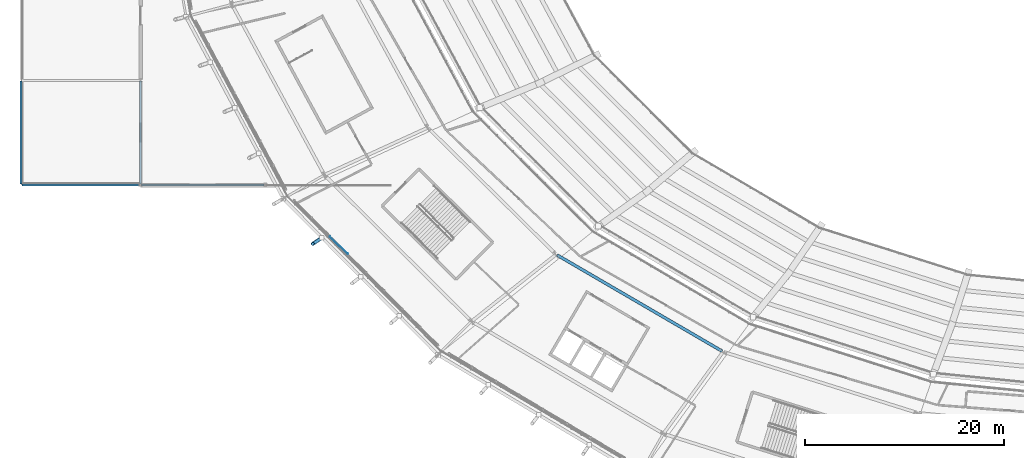
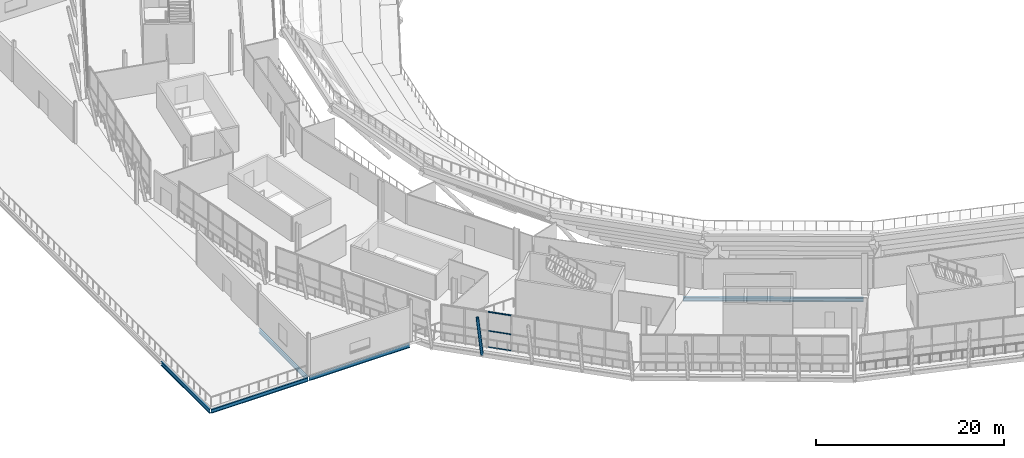
# One storey, part 15 of 126: 5 beams, 4 members, 1 element without a shape of its own.
"""IFC4 building model written with IfcOpenShell, lengths in metres."""

from ifc_helpers import new_model, si_unit, direction, frame, origin, origin_2d, place, context, subcontext, project, spatial, rectangle, hollow_circle, i_section, extrude, material, material_profile, profile_set, type_object, element, aggregate, save


model = new_model("IFC4")

# Units and contexts
model_context = context("Model", 3, precision=1e-05, world=origin(), true_north=direction((0.0, 1.0)))
body_context = subcontext(model_context, "Body", "Model", "MODEL_VIEW")
ifc_project = project(units=[si_unit("LENGTHUNIT", "METRE"), si_unit("AREAUNIT", "SQUARE_METRE"), si_unit("VOLUMEUNIT", "CUBIC_METRE"), si_unit("PLANEANGLEUNIT", "RADIAN"), si_unit("MASSUNIT", "GRAM", prefix="KILO")], contexts=[model_context])

# Site, building, storey
site_placement = place(None, origin())
site = spatial("IfcSite", under=ifc_project, at=site_placement, CompositionType="ELEMENT")
building_placement = place(site_placement, origin())
building = spatial("IfcBuilding", under=site, at=building_placement, Name="Zlatoyarsky Gate Stadium", CompositionType="ELEMENT")
storey_placement = place(building_placement, frame((0.0, 0.0, 20.800048828125)))
storey = spatial("IfcBuildingStorey", under=building, at=storey_placement, Name="L04", CompositionType="ELEMENT", Elevation=20.800048828125)

# Curtain wall, members
ifc_material_1 = material(Name="Thermally broken anodised aluminium curtain wall", Category="aluminium")
curtain_wall_type = type_object("IfcCurtainWallType", Name="UNITISED MEDIA RING GLAZING L04", PredefinedType="USERDEFINED", material=ifc_material_1)
curtain_wall_placement = place(storey_placement, origin())
curtain_wall = element("IfcCurtainWall", 1, at=curtain_wall_placement, inside=storey, type_object=curtain_wall_type, Name="Curtain wall CW-L04-14", ObjectType="UNITISED GLAZING", PredefinedType="USERDEFINED")
ifc_material_2 = material(Name="Anodised aluminium 6063-T6", Category="aluminium")
ifc_material_profile_1 = material_profile(ifc_material_2, rectangle(XDim=0.06494140625, YDim=0.139892578125, at=origin_2d()), Name="ALU 65X140")
ifc_profile_set_1 = profile_set([ifc_material_profile_1], Name="Anodised aluminium 6063-T6")
member_type_1 = type_object("IfcMemberType", Name="ALUMINIUM TRANSOM 65X140", PredefinedType="USERDEFINED", material=ifc_profile_set_1)
member_1_placement = place(storey_placement, frame((31.043701171875, 38.324462890625, 0.032470703125), z_axis=(0.70437817459, -0.709824898945, 0.0), x_axis=(0.709824898945, 0.70437817459, 0.0)))
member_1 = element("IfcMember", 2, at=member_1_placement, type_object=member_type_1, Name="CW-UG4 transom 3.1", ObjectType="TRANSOM", PredefinedType="USERDEFINED", context=body_context, shape_type="SweptSolid", body=[
    extrude(rectangle(XDim=0.06494140625, YDim=0.139892578125, at=origin_2d()), origin(), (0.0, 0.0, 1.0), 2.510009765625),
])
member_2_placement = place(storey_placement, frame((31.043701171875, 38.324462890625, 2.14990234375), z_axis=(0.70437817459, -0.709824898945, 0.0), x_axis=(0.709824898945, 0.70437817459, 0.0)))
member_2 = element("IfcMember", 3, at=member_2_placement, type_object=member_type_1, Name="CW-UG4 transom 3.2", ObjectType="TRANSOM", PredefinedType="USERDEFINED", context=body_context, shape_type="SweptSolid", body=[
    extrude(rectangle(XDim=0.06494140625, YDim=0.139892578125, at=origin_2d()), origin(), (0.0, 0.0, 1.0), 2.510009765625),
])
member_3_placement = place(storey_placement, frame((31.043701171875, 38.324462890625, 4.58740234375), z_axis=(0.70437817459, -0.709824898945, 0.0), x_axis=(0.709824898945, 0.70437817459, 0.0)))
member_3 = element("IfcMember", 4, at=member_3_placement, type_object=member_type_1, Name="CW-UG4 transom 3.3", ObjectType="TRANSOM", PredefinedType="USERDEFINED", context=body_context, shape_type="SweptSolid", body=[
    extrude(rectangle(XDim=0.06494140625, YDim=0.139892578125, at=origin_2d()), origin(), (0.0, 0.0, 1.0), 2.510009765625),
])
aggregate(curtain_wall, [member_1, member_2, member_3])

# Beams
ifc_material_3 = material(Name="Steel S355", Category="steel")
ifc_material_profile_2 = material_profile(ifc_material_3, i_section(OverallWidth=0.199951171875, OverallDepth=0.5, WebThickness=0.01025390625, FlangeThickness=0.01611328125, FilletRadius=0.02099609375, at=origin_2d()), Name="IPE 500")
ifc_profile_set_2 = profile_set([ifc_material_profile_2], Name="Steel S355")
beam_type_1 = type_object("IfcBeamType", Name="STEEL FLOOR BEAM IPE 500", PredefinedType="BEAM", material=ifc_profile_set_2)
beam_1_placement = place(storey_placement, frame((0.080078125, 43.5, -0.570068359375), z_axis=(1.0, 0.0, 0.0), x_axis=(0.0, 1.0, 0.0)))
element("IfcBeam", 5, at=beam_1_placement, inside=storey, type_object=beam_type_1, Name="Beam B-IPE500 BM-L04-WGX-1-E", PredefinedType="BEAM", context=body_context, shape_type="SweptSolid", body=[
    extrude(i_section(OverallWidth=0.199951171875, OverallDepth=0.5, WebThickness=0.01025390625, FlangeThickness=0.01611328125, FilletRadius=0.02099609375, at=origin_2d()), origin(), (0.0, 0.0, 1.0), 11.83984375),
])
beam_2_placement = place(storey_placement, frame((12.080078125, 43.5, -0.550048828125), z_axis=(1.0, 0.0, 0.0), x_axis=(0.0, 1.0, 0.0)))
element("IfcBeam", 6, at=beam_2_placement, inside=storey, type_object=beam_type_1, Name="Beam B-IPE500 BM-L04-WGX-2-E", PredefinedType="BEAM", context=body_context, shape_type="SweptSolid", body=[
    extrude(i_section(OverallWidth=0.199951171875, OverallDepth=0.5, WebThickness=0.01025390625, FlangeThickness=0.01611328125, FilletRadius=0.02099609375, at=origin_2d()), origin(), (0.0, 0.0, 1.0), 12.33984375),
])
ifc_material_profile_3 = material_profile(ifc_material_3, i_section(OverallWidth=0.2099609375, OverallDepth=0.550048828125, WebThickness=0.010986328125, FlangeThickness=0.01708984375, FilletRadius=0.02392578125, at=origin_2d()), Name="IPE 550")
ifc_profile_set_3 = profile_set([ifc_material_profile_3], Name="Steel S355")
beam_type_2 = type_object("IfcBeamType", Name="STEEL FLOOR BEAM IPE 550", PredefinedType="BEAM", material=ifc_profile_set_3)
for number, where, z_axis, x_axis, name in (
    (7, (0.0, 43.580078125, -0.594970703125), (0.0, 1.0, 0.0), (-1.0, 0.0, 0.0), "Beam B-IPE550 BM-L04-WGY-1-E"),
    (8, (12.0, 43.580078125, -0.594970703125), (0.0, 1.0, 0.0), (-1.0, 0.0, 0.0), "Beam B-IPE550 BM-L04-WGY-2-E"),
):
    element("IfcBeam", number, at=place(storey_placement, frame(where, z_axis=z_axis, x_axis=x_axis)), inside=storey, type_object=beam_type_2, Name=name, PredefinedType="BEAM", context=body_context, shape_type="SweptSolid", body=[
        extrude(i_section(OverallWidth=0.2099609375, OverallDepth=0.550048828125, WebThickness=0.010986328125, FlangeThickness=0.01708984375, FilletRadius=0.02392578125, at=origin_2d()), origin(), (0.0, 0.0, 1.0), 10.33984375),
    ])

# Member
ifc_material_profile_4 = material_profile(ifc_material_3, hollow_circle(Radius=0.177734375, WallThickness=0.02001953125, at=origin_2d()), Name="CHS 355.6X20")
ifc_profile_set_4 = profile_set([ifc_material_profile_4], Name="Steel S355")
member_type_2 = type_object("IfcMemberType", Name="STEEL LEANING RIB RING STRUT CHS 355.6X20", PredefinedType="STRUT", material=ifc_profile_set_4)
member_4_placement = place(storey_placement, frame((30.21337890625, 38.192138671875, -0.550048828125), z_axis=(-0.164995513557, -0.110187619691, 0.980119976826), x_axis=(0.555365126941, -0.831606623216, 0.0)))
element("IfcMember", 9, at=member_4_placement, inside=storey, type_object=member_type_2, Name="Outward-leaning bowl louvre fin rib L04 14-1", PredefinedType="STRUT", context=body_context, shape_type="SweptSolid", body=[
    extrude(hollow_circle(Radius=0.177734375, WallThickness=0.02001953125, at=origin_2d()), origin(), (0.0, 0.0, 1.0), 5.55029296875),
])

# Beam
ifc_material_profile_5 = material_profile(ifc_material_3, i_section(OverallWidth=0.300048828125, OverallDepth=0.5, WebThickness=0.014404296875, FlangeThickness=0.028076171875, FilletRadius=0.027099609375, at=origin_2d()), Name="HEB 500")
ifc_profile_set_5 = profile_set([ifc_material_profile_5], Name="Steel S355")
beam_type_3 = type_object("IfcBeamType", Name="STEEL PRIMARY GIRDER HEB 500", PredefinedType="BEAM", material=ifc_profile_set_5)
beam_3_placement = place(storey_placement, frame((53.828125, 36.452392578125, -0.550048828125), z_axis=(0.864054462945, -0.503398336375, 0.0), x_axis=(0.503398336375, 0.864054462945, 0.0)))
element("IfcBeam", 10, at=beam_3_placement, inside=storey, type_object=beam_type_3, Name="Beam G-HEB500 BM-L04-CRB-15", PredefinedType="BEAM", context=body_context, shape_type="SweptSolid", body=[
    extrude(i_section(OverallWidth=0.300048828125, OverallDepth=0.5, WebThickness=0.014404296875, FlangeThickness=0.028076171875, FilletRadius=0.027099609375, at=origin_2d()), origin(), (0.0, 0.0, 1.0), 19.1748046875),
])

save(model, "model.ifc")
